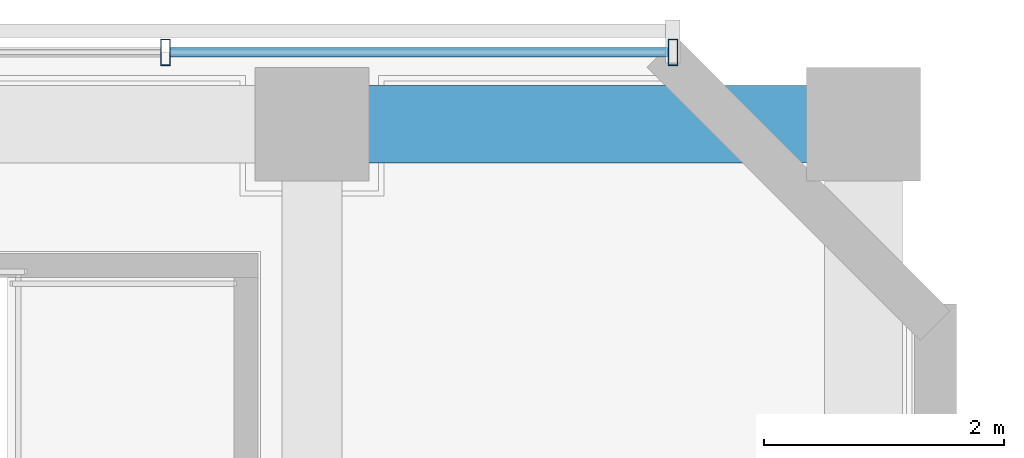
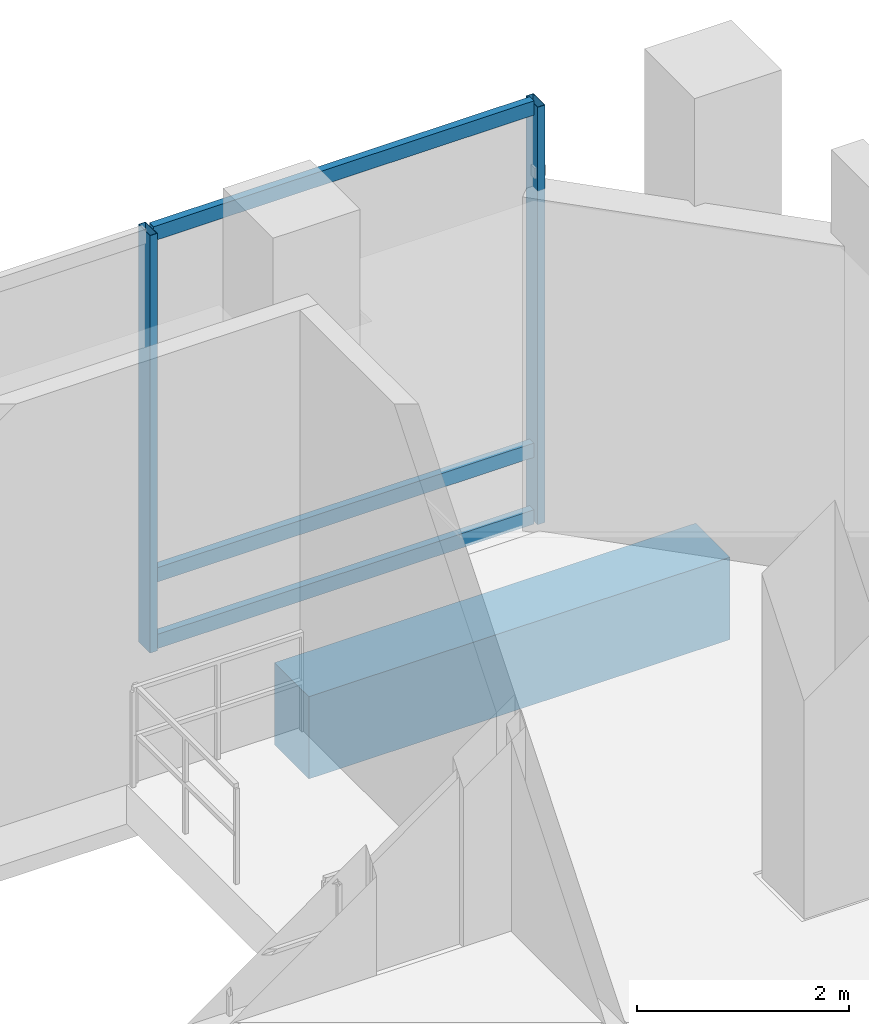
# One storey, part 18 of 31: 5 members, 1 beam, 1 element without a shape of its own.
"""IFC4 building model written with IfcOpenShell, lengths in metres."""

from ifc_helpers import new_model, si_unit, direction, frame, origin, origin_2d, place, context, subcontext, project, spatial, rectangle, hollow_rectangle, extrude, source, transform, mapped, material, material_profile, profile_set, type_object, element, aggregate, save


model = new_model("IFC4")

# Units and contexts
model_context = context("Model", 3, precision=1e-05, world=origin(), true_north=direction((-0.2419218956, 0.970295726276)))
body_context = subcontext(model_context, "Body", "Model", "MODEL_VIEW")
ifc_project = project(units=[si_unit("LENGTHUNIT", "METRE"), si_unit("AREAUNIT", "SQUARE_METRE"), si_unit("VOLUMEUNIT", "CUBIC_METRE"), si_unit("PLANEANGLEUNIT", "RADIAN"), si_unit("MASSUNIT", "GRAM", prefix="KILO")], contexts=[model_context])

# Site, building, storey
site_placement = place(None, origin())
site = spatial("IfcSite", under=ifc_project, at=site_placement, CompositionType="ELEMENT")
building_placement = place(site_placement, origin())
building = spatial("IfcBuilding", under=site, at=building_placement, Name="Cobrevalo Terracotta Tower", CompositionType="ELEMENT")
storey_placement = place(building_placement, frame((0.0, 0.0, 18.89990234375)))
storey = spatial("IfcBuildingStorey", under=building, at=storey_placement, Name="L04", CompositionType="ELEMENT", Elevation=18.89990234375)

# Beam
ifc_material_1 = material(Name="Concrete C50", Category="concrete")
ifc_material_profile_1 = material_profile(ifc_material_1, rectangle(XDim=0.64990234375, YDim=0.949951171875, at=origin_2d()), Name="RC BM 650x950")
ifc_profile_set_1 = profile_set([ifc_material_profile_1], Name="Concrete C50")
beam_type = type_object("IfcBeamType", Name="Structural Spandrel RC BM 650x950 (Concrete C50)", PredefinedType="SPANDREL", material=ifc_profile_set_1)
beam_placement = place(storey_placement, frame((67.0, 50.800048828125, -0.9248046875), z_axis=(1.0, 0.0, 0.0), x_axis=(0.0, 1.0, 0.0)))
element("IfcBeam", 1, at=beam_placement, inside=storey, type_object=beam_type, Name="L04 podium grid beam G8-GG to G9-GG", PredefinedType="SPANDREL", context=body_context, shape_type="SweptSolid", body=[
    extrude(rectangle(XDim=0.64990234375, YDim=0.949951171875, at=origin_2d()), origin(), (0.0, 0.0, 1.0), 4.60009765625),
])

# Curtain wall, members
ifc_material_2 = material(Name="Anodized aluminium", Category="aluminium")
curtain_wall_type = type_object("IfcCurtainWallType", Name="Podium gallery & conservatory curtain wall CW-S2", PredefinedType="NOTDEFINED", material=ifc_material_2)
curtain_wall_placement = place(storey_placement, origin())
curtain_wall = element("IfcCurtainWall", 2, at=curtain_wall_placement, inside=storey, type_object=curtain_wall_type, Name="L04 curtain wall CW-POD-L04-N", PredefinedType="NOTDEFINED")
ifc_material_profile_2 = material_profile(ifc_material_2, hollow_rectangle(XDim=0.080078125, YDim=0.1650390625, WallThickness=0.00439453125, at=origin_2d()), Name="CWT 80x165")
ifc_profile_set_2 = profile_set([ifc_material_profile_2], Name="Anodized aluminium")
member_type_1 = type_object("IfcMemberType", Name="Storefront & atrium aluminium transom 80x165", PredefinedType="USERDEFINED", material=ifc_profile_set_2)
shared_shape_1 = source(origin(), body_context, "Body", "SweptSolid", [
    extrude(hollow_rectangle(XDim=0.080078125, YDim=0.1650390625, WallThickness=0.00439453125, at=origin_2d()), origin(), (0.0, 0.0, 1.0), 4.1533203125),
])
member_1_placement = place(storey_placement, frame((69.969970703125, 51.39990234375, 0.050048828125), z_axis=(-1.0, 0.0, 0.0), x_axis=(0.0, -1.0, 0.0)))
member_1 = element("IfcMember", 3, at=member_1_placement, type_object=member_type_1, Name="CW-POD-L04-N transom B01-T1", ObjectType="TRANSOM", PredefinedType="USERDEFINED", context=body_context, shape_type="MappedRepresentation", body=[
    mapped(shared_shape_1, transform((0.0, 0.0, 0.0), scale=1.0)),
])
member_2_placement = place(storey_placement, frame((69.969970703125, 51.39990234375, 0.820068359375), z_axis=(-1.0, 0.0, 0.0), x_axis=(0.0, -1.0, 0.0)))
member_2 = element("IfcMember", 4, at=member_2_placement, type_object=member_type_1, Name="CW-POD-L04-N transom B01-T2", ObjectType="TRANSOM", PredefinedType="USERDEFINED", context=body_context, shape_type="MappedRepresentation", body=[
    mapped(shared_shape_1, transform((0.0, 0.0, 0.0), scale=1.0)),
])
member_3_placement = place(storey_placement, frame((69.969970703125, 51.39990234375, 4.77001953125), z_axis=(-1.0, 0.0, 0.0), x_axis=(0.0, -1.0, 0.0)))
member_3 = element("IfcMember", 5, at=member_3_placement, type_object=member_type_1, Name="CW-POD-L04-N transom B01-T3", ObjectType="TRANSOM", PredefinedType="USERDEFINED", context=body_context, shape_type="MappedRepresentation", body=[
    mapped(shared_shape_1, transform((0.0, 0.0, 0.0), scale=1.0)),
])
ifc_material_profile_3 = material_profile(ifc_material_2, hollow_rectangle(XDim=0.080078125, YDim=0.219970703125, WallThickness=0.0048828125, at=origin_2d()), Name="CWM 80x220")
ifc_profile_set_3 = profile_set([ifc_material_profile_3], Name="Anodized aluminium")
member_type_2 = type_object("IfcMemberType", Name="Storefront & atrium aluminium mullion 80x220", PredefinedType="MULLION", material=ifc_profile_set_3)
shared_shape_2 = source(origin(), body_context, "Body", "SweptSolid", [
    extrude(hollow_rectangle(XDim=0.080078125, YDim=0.219970703125, WallThickness=0.0048828125, at=origin_2d()), origin(), (0.0, 0.0, 1.0), 4.820068359375),
])
member_4_placement = place(storey_placement, frame((70.010009765625, 51.39990234375, 0.0), z_axis=(0.0, 0.0, 1.0), x_axis=(-1.0, 0.0, 0.0)))
member_4 = element("IfcMember", 6, at=member_4_placement, type_object=member_type_2, Name="CW-POD-L04-N vertical mullion 01", PredefinedType="MULLION", context=body_context, shape_type="MappedRepresentation", body=[
    mapped(shared_shape_2, transform((0.0, 0.0, 0.0), scale=1.0)),
])
member_5_placement = place(storey_placement, frame((65.776611328125, 51.39990234375, 0.0), z_axis=(0.0, 0.0, 1.0), x_axis=(-1.0, 0.0, 0.0)))
member_5 = element("IfcMember", 7, at=member_5_placement, type_object=member_type_2, Name="CW-POD-L04-N vertical mullion 02", PredefinedType="MULLION", context=body_context, shape_type="MappedRepresentation", body=[
    mapped(shared_shape_2, transform((0.0, 0.0, 0.0), scale=1.0)),
])
aggregate(curtain_wall, [member_4, member_5, member_1, member_2, member_3])

save(model, "model.ifc")
